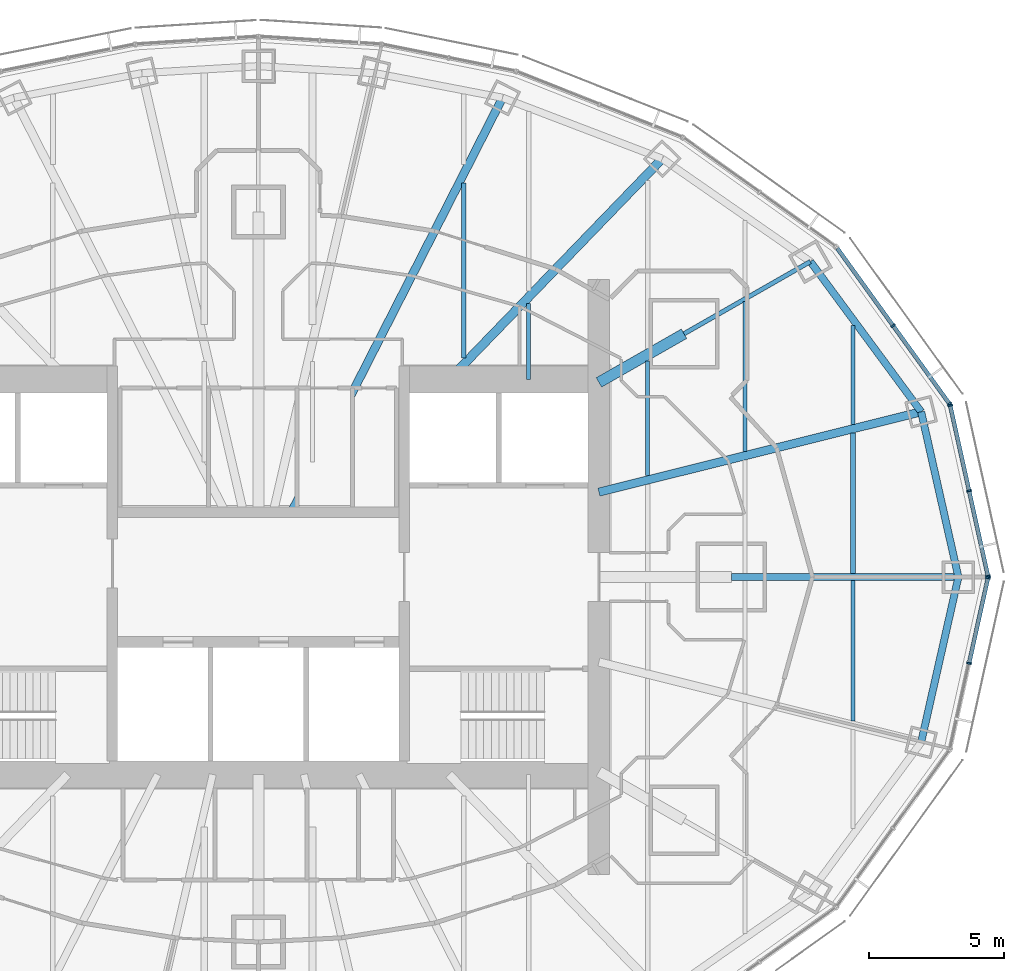
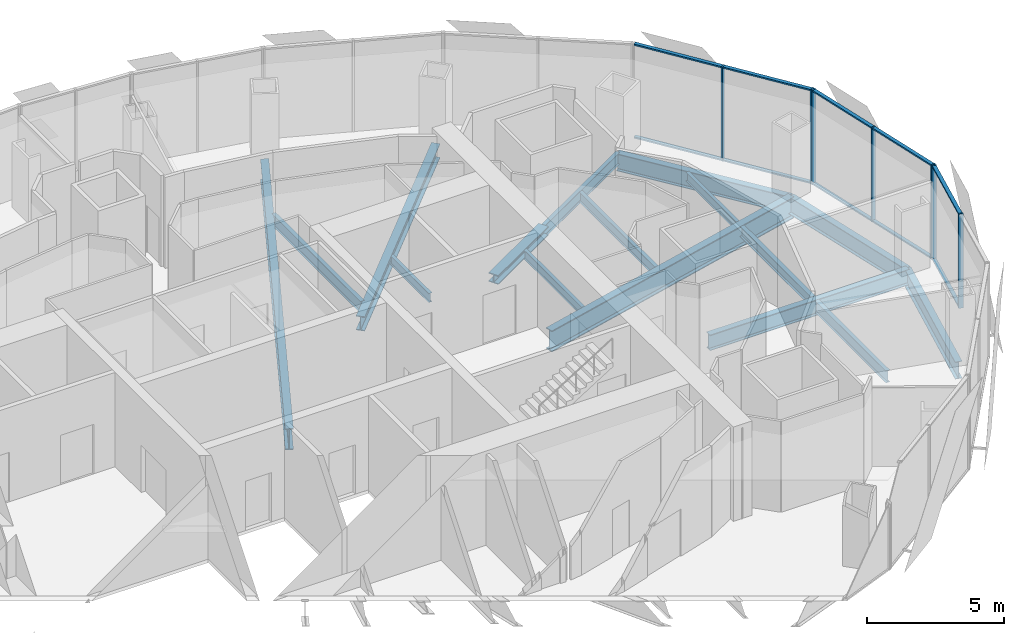
# One storey, part 7 of 18: 17 members, 16 beams, 3 elements without a shape of their own.
"""IFC4 building model written with IfcOpenShell, lengths in metres."""

from ifc_helpers import new_model, si_unit, direction, frame, origin, origin_2d, place, context, subcontext, project, spatial, rectangle, i_section, extrude, material, material_profile, profile_set, type_object, element, aggregate, save


model = new_model("IFC4")

# Units and contexts
model_context = context("Model", 3, precision=1e-05, world=origin(), true_north=direction((0.0, 1.0)))
body_context = subcontext(model_context, "Body", "Model", "MODEL_VIEW")
ifc_project = project(units=[si_unit("LENGTHUNIT", "METRE"), si_unit("AREAUNIT", "SQUARE_METRE"), si_unit("VOLUMEUNIT", "CUBIC_METRE"), si_unit("PLANEANGLEUNIT", "RADIAN"), si_unit("MASSUNIT", "GRAM", prefix="KILO")], contexts=[model_context])

# Site, building, storey
site_placement = place(None, origin())
site = spatial("IfcSite", under=ifc_project, at=site_placement, CompositionType="ELEMENT")
building_placement = place(site_placement, origin())
building = spatial("IfcBuilding", under=site, at=building_placement, Name="Lantaw Convention Tower", CompositionType="ELEMENT")
storey_placement = place(building_placement, frame((0.0, 0.0, 262.0)))
storey = spatial("IfcBuildingStorey", under=building, at=storey_placement, Name="L61", CompositionType="ELEMENT", Elevation=262.0)

# Beams
ifc_material_1 = material(Name="Steel ASTM A992", Category="steel")
ifc_material_profile_1 = material_profile(ifc_material_1, i_section(OverallWidth=0.2666015625, OverallDepth=0.76953125, WebThickness=0.015625, FlangeThickness=0.025390625, FilletRadius=0.0126953125, at=origin_2d()), Name="W30X132")
ifc_profile_set_1 = profile_set([ifc_material_profile_1], Name="Steel ASTM A992")
beam_type_1 = type_object("IfcBeamType", Name="Beam E W30X132", PredefinedType="SPANDREL", material=ifc_profile_set_1)
beam_1_placement = place(storey_placement, frame((25.89990234375, 0.0, -0.534912109375), z_axis=(-0.219857926596, 0.97553190215, 0.0), x_axis=(-0.97553190215, -0.219857926596, 0.0)))
element("IfcBeam", 1, at=beam_1_placement, inside=storey, type_object=beam_type_1, Name="Edge beam 1", PredefinedType="SPANDREL", context=body_context, shape_type="SweptSolid", body=[
    extrude(i_section(OverallWidth=0.2666015625, OverallDepth=0.76953125, WebThickness=0.015625, FlangeThickness=0.025390625, FilletRadius=0.0126953125, at=origin_2d()), origin(), (0.0, 0.0, 1.0), 6.267333984375),
])
beam_2_placement = place(storey_placement, frame((24.52197265625, 6.114013671875, -0.534912109375), z_axis=(-0.593639188853, 0.804731329984, 0.0), x_axis=(-0.804731329984, -0.593639188853, 0.0)))
element("IfcBeam", 2, at=beam_2_placement, inside=storey, type_object=beam_type_1, Name="Edge beam 2", PredefinedType="SPANDREL", context=body_context, shape_type="SweptSolid", body=[
    extrude(i_section(OverallWidth=0.2666015625, OverallDepth=0.76953125, WebThickness=0.015625, FlangeThickness=0.025390625, FilletRadius=0.0126953125, at=origin_2d()), origin(), (0.0, 0.0, 1.0), 6.904541015625),
])
beam_3_placement = place(storey_placement, frame((24.52197265625, -6.114013671875, -0.534912109375), z_axis=(0.219857926596, 0.97553190215, 0.0), x_axis=(-0.97553190215, 0.219857926596, 0.0)))
element("IfcBeam", 3, at=beam_3_placement, inside=storey, type_object=beam_type_1, Name="Edge beam 24", PredefinedType="SPANDREL", context=body_context, shape_type="SweptSolid", body=[
    extrude(i_section(OverallWidth=0.2666015625, OverallDepth=0.76953125, WebThickness=0.015625, FlangeThickness=0.025390625, FilletRadius=0.0126953125, at=origin_2d()), origin(), (0.0, 0.0, 1.0), 6.267333984375),
])
ifc_material_profile_2 = material_profile(ifc_material_1, i_section(OverallWidth=0.1650390625, OverallDepth=0.52587890625, WebThickness=0.0087890625, FlangeThickness=0.011474609375, FilletRadius=0.0126953125, at=origin_2d()), Name="W21X44")
ifc_profile_set_2 = profile_set([ifc_material_profile_2], Name="Steel ASTM A992")
beam_type_2 = type_object("IfcBeamType", Name="Beam G W21X44", PredefinedType="BEAM", material=ifc_profile_set_2)
beam_4_placement = place(storey_placement, frame((15.75, 9.0, -0.412841796875), z_axis=(0.868237559289, 0.496148708192, 0.0), x_axis=(-0.496148708192, 0.868237559289, 0.0)))
element("IfcBeam", 4, at=beam_4_placement, inside=storey, type_object=beam_type_2, Name="Floor girder on ray 3", PredefinedType="BEAM", context=body_context, shape_type="SweptSolid", body=[
    extrude(i_section(OverallWidth=0.1650390625, OverallDepth=0.52587890625, WebThickness=0.0087890625, FlangeThickness=0.011474609375, FilletRadius=0.0126953125, at=origin_2d()), origin(), (0.0, 0.0, 1.0), 5.38232421875),
])
ifc_material_profile_3 = material_profile(ifc_material_1, i_section(OverallWidth=0.32763671875, OverallDepth=0.64013671875, WebThickness=0.01904296875, FlangeThickness=0.033935546875, FilletRadius=0.0126953125, at=origin_2d()), Name="W24X176")
ifc_profile_set_3 = profile_set([ifc_material_profile_3], Name="Steel ASTM A992")
beam_type_3 = type_object("IfcBeamType", Name="Beam G W24X176", PredefinedType="BEAM", material=ifc_profile_set_3)
beam_5_placement = place(storey_placement, frame((7.049560546875, 7.300048828125, -0.469970703125), z_axis=(0.694657766726, 0.719340383356, 0.0), x_axis=(-0.719340383356, 0.694657766726, 0.0)))
element("IfcBeam", 5, at=beam_5_placement, inside=storey, type_object=beam_type_3, Name="Floor girder on ray 4", PredefinedType="BEAM", context=body_context, shape_type="SweptSolid", body=[
    extrude(i_section(OverallWidth=0.32763671875, OverallDepth=0.64013671875, WebThickness=0.01904296875, FlangeThickness=0.033935546875, FilletRadius=0.0126953125, at=origin_2d()), origin(), (0.0, 0.0, 1.0), 11.364990234375),
])
ifc_material_profile_4 = material_profile(ifc_material_1, i_section(OverallWidth=0.25390625, OverallDepth=0.700927734375, WebThickness=0.015380859375, FlangeThickness=0.02783203125, FilletRadius=0.01513671875, at=origin_2d()), Name="W27X129")
ifc_profile_set_4 = profile_set([ifc_material_profile_4], Name="Steel ASTM A992")
beam_type_4 = type_object("IfcBeamType", Name="Beam G W27X129", PredefinedType="BEAM", material=ifc_profile_set_4)
beam_6_placement = place(storey_placement, frame((17.5, 0.0, -0.50048828125), z_axis=(1.0, 0.0, 0.0), x_axis=(0.0, 1.0, 0.0)))
element("IfcBeam", 6, at=beam_6_placement, inside=storey, type_object=beam_type_4, Name="Floor girder on ray 1", PredefinedType="BEAM", context=body_context, shape_type="SweptSolid", body=[
    extrude(i_section(OverallWidth=0.25390625, OverallDepth=0.700927734375, WebThickness=0.015380859375, FlangeThickness=0.02783203125, FilletRadius=0.01513671875, at=origin_2d()), origin(), (0.0, 0.0, 1.0), 8.39990234375),
])
ifc_material_profile_5 = material_profile(ifc_material_1, i_section(OverallWidth=0.307373046875, OverallDepth=0.9423828125, WebThickness=0.022216796875, FlangeThickness=0.039794921875, FilletRadius=0.0126953125, at=origin_2d()), Name="W36X232")
ifc_profile_set_5 = profile_set([ifc_material_profile_5], Name="Steel ASTM A992")
beam_type_5 = type_object("IfcBeamType", Name="Beam G W36X232", PredefinedType="BEAM", material=ifc_profile_set_5)
beam_7_placement = place(storey_placement, frame((12.60009765625, 3.1416015625, -0.62109375), z_axis=(0.970296589314, 0.241918434119, 0.0), x_axis=(-0.241918434119, 0.970296589314, 0.0)))
element("IfcBeam", 7, at=beam_7_placement, inside=storey, type_object=beam_type_5, Name="Floor girder on ray 2", PredefinedType="BEAM", context=body_context, shape_type="SweptSolid", body=[
    extrude(i_section(OverallWidth=0.307373046875, OverallDepth=0.9423828125, WebThickness=0.022216796875, FlangeThickness=0.039794921875, FilletRadius=0.0126953125, at=origin_2d()), origin(), (0.0, 0.0, 1.0), 12.286865234375),
])
beam_8_placement = place(storey_placement, frame((1.222900390625, 2.39990234375, -0.62109375), z_axis=(0.453988481463, 0.891007552549, 0.0), x_axis=(-0.891007552549, 0.453988481463, 0.0)))
element("IfcBeam", 8, at=beam_8_placement, inside=storey, type_object=beam_type_5, Name="Floor girder on ray 5", PredefinedType="BEAM", context=body_context, shape_type="SweptSolid", body=[
    extrude(i_section(OverallWidth=0.307373046875, OverallDepth=0.9423828125, WebThickness=0.022216796875, FlangeThickness=0.039794921875, FilletRadius=0.0126953125, at=origin_2d()), origin(), (0.0, 0.0, 1.0), 17.20703125),
])
ifc_material_profile_6 = material_profile(ifc_material_1, i_section(OverallWidth=0.40380859375, OverallDepth=0.406494140625, WebThickness=0.027099609375, FlangeThickness=0.043701171875, FilletRadius=0.01513671875, at=origin_2d()), Name="W14X233")
ifc_profile_set_6 = profile_set([ifc_material_profile_6], Name="Steel ASTM A992")
beam_type_6 = type_object("IfcBeamType", Name="Beam GM W14X233", PredefinedType="BEAM", material=ifc_profile_set_6)
beam_9_placement = place(storey_placement, frame((12.60009765625, 7.199951171875, -0.353271484375), z_axis=(0.868230718294, 0.496160679428, 0.0), x_axis=(-0.496160679428, 0.868230718294, 0.0)))
element("IfcBeam", 9, at=beam_9_placement, inside=storey, type_object=beam_type_6, Name="Core link beam on ray 3", PredefinedType="BEAM", context=body_context, shape_type="SweptSolid", body=[
    extrude(i_section(OverallWidth=0.40380859375, OverallDepth=0.406494140625, WebThickness=0.027099609375, FlangeThickness=0.043701171875, FilletRadius=0.01513671875, at=origin_2d()), origin(), (0.0, 0.0, 1.0), 3.6279296875),
])
ifc_material_profile_7 = material_profile(ifc_material_1, i_section(OverallWidth=0.140380859375, OverallDepth=0.40380859375, WebThickness=0.007080078125, FlangeThickness=0.01123046875, FilletRadius=0.01025390625, at=origin_2d()), Name="W16X31")
ifc_profile_set_7 = profile_set([ifc_material_profile_7], Name="Steel ASTM A992")
beam_type_7 = type_object("IfcBeamType", Name="Beam J W16X31", PredefinedType="JOIST", material=ifc_profile_set_7)
beam_10_placement = place(storey_placement, frame((10.0, 7.300048828125, -0.35205078125), z_axis=(0.0, 1.0, 0.0), x_axis=(-1.0, 0.0, 0.0)))
element("IfcBeam", 10, at=beam_10_placement, inside=storey, type_object=beam_type_7, Name="Floor joist", PredefinedType="JOIST", context=body_context, shape_type="SweptSolid", body=[
    extrude(i_section(OverallWidth=0.140380859375, OverallDepth=0.40380859375, WebThickness=0.007080078125, FlangeThickness=0.01123046875, FilletRadius=0.01025390625, at=origin_2d()), origin(), (0.0, 0.0, 1.0), 2.8193359375),
])
beam_11_placement = place(storey_placement, frame((14.39990234375, 3.748779296875, -0.35205078125), z_axis=(0.0, 1.0, 0.0), x_axis=(-1.0, 0.0, 0.0)))
element("IfcBeam", 11, at=beam_11_placement, inside=storey, type_object=beam_type_7, Name="Floor joist", PredefinedType="JOIST", context=body_context, shape_type="SweptSolid", body=[
    extrude(i_section(OverallWidth=0.140380859375, OverallDepth=0.40380859375, WebThickness=0.007080078125, FlangeThickness=0.01123046875, FilletRadius=0.01025390625, at=origin_2d()), origin(), (0.0, 0.0, 1.0), 4.247314453125),
])
beam_12_placement = place(storey_placement, frame((22.0, 5.6435546875, -0.35205078125), z_axis=(0.0, 1.0, 0.0), x_axis=(-1.0, 0.0, 0.0)))
element("IfcBeam", 12, at=beam_12_placement, inside=storey, type_object=beam_type_7, Name="Floor joist", PredefinedType="JOIST", context=body_context, shape_type="SweptSolid", body=[
    extrude(i_section(OverallWidth=0.140380859375, OverallDepth=0.40380859375, WebThickness=0.007080078125, FlangeThickness=0.01123046875, FilletRadius=0.01025390625, at=origin_2d()), origin(), (0.0, 0.0, 1.0), 3.66455078125),
])
ifc_material_profile_8 = material_profile(ifc_material_1, i_section(OverallWidth=0.15234375, OverallDepth=0.449462890625, WebThickness=0.007568359375, FlangeThickness=0.0107421875, FilletRadius=0.01025390625, at=origin_2d()), Name="W18X35")
ifc_profile_set_8 = profile_set([ifc_material_profile_8], Name="Steel ASTM A992")
beam_type_8 = type_object("IfcBeamType", Name="Beam J W18X35", PredefinedType="JOIST", material=ifc_profile_set_8)
beam_13_placement = place(storey_placement, frame((18.0, 4.646240234375, -0.374755859375), z_axis=(0.0, 1.0, 0.0), x_axis=(-1.0, 0.0, 0.0)))
element("IfcBeam", 13, at=beam_13_placement, inside=storey, type_object=beam_type_8, Name="Floor joist", PredefinedType="JOIST", context=body_context, shape_type="SweptSolid", body=[
    extrude(i_section(OverallWidth=0.15234375, OverallDepth=0.449462890625, WebThickness=0.007568359375, FlangeThickness=0.0107421875, FilletRadius=0.01025390625, at=origin_2d()), origin(), (0.0, 0.0, 1.0), 5.54443359375),
])
ifc_material_profile_9 = material_profile(ifc_material_1, i_section(OverallWidth=0.1904296875, OverallDepth=0.457275390625, WebThickness=0.009033203125, FlangeThickness=0.014404296875, FilletRadius=0.01025390625, at=origin_2d()), Name="W18X50")
ifc_profile_set_9 = profile_set([ifc_material_profile_9], Name="Steel ASTM A992")
beam_type_9 = type_object("IfcBeamType", Name="Beam J W18X50", PredefinedType="JOIST", material=ifc_profile_set_9)
beam_14_placement = place(storey_placement, frame((22.0, 0.126953125, -0.378662109375), z_axis=(0.0, 1.0, 0.0), x_axis=(-1.0, 0.0, 0.0)))
element("IfcBeam", 14, at=beam_14_placement, inside=storey, type_object=beam_type_9, Name="Floor joist", PredefinedType="JOIST", context=body_context, shape_type="SweptSolid", body=[
    extrude(i_section(OverallWidth=0.1904296875, OverallDepth=0.457275390625, WebThickness=0.009033203125, FlangeThickness=0.014404296875, FilletRadius=0.01025390625, at=origin_2d()), origin(), (0.0, 0.0, 1.0), 5.199951171875),
])
ifc_material_profile_10 = material_profile(ifc_material_1, i_section(OverallWidth=0.1650390625, OverallDepth=0.52587890625, WebThickness=0.0087890625, FlangeThickness=0.011474609375, FilletRadius=0.0126953125, at=origin_2d()), Name="W21X44")
ifc_profile_set_10 = profile_set([ifc_material_profile_10], Name="Steel ASTM A992")
beam_type_10 = type_object("IfcBeamType", Name="Beam J W21X44", PredefinedType="JOIST", material=ifc_profile_set_10)
beam_15_placement = place(storey_placement, frame((7.60009765625, 8.10595703125, -0.412841796875), z_axis=(0.0, 1.0, 0.0), x_axis=(-1.0, 0.0, 0.0)))
element("IfcBeam", 15, at=beam_15_placement, inside=storey, type_object=beam_type_10, Name="Floor joist", PredefinedType="JOIST", context=body_context, shape_type="SweptSolid", body=[
    extrude(i_section(OverallWidth=0.1650390625, OverallDepth=0.52587890625, WebThickness=0.0087890625, FlangeThickness=0.011474609375, FilletRadius=0.0126953125, at=origin_2d()), origin(), (0.0, 0.0, 1.0), 6.471435546875),
])
beam_16_placement = place(storey_placement, frame((22.0, -5.326904296875, -0.412841796875), z_axis=(0.0, 1.0, 0.0), x_axis=(-1.0, 0.0, 0.0)))
element("IfcBeam", 16, at=beam_16_placement, inside=storey, type_object=beam_type_10, Name="Floor joist", PredefinedType="JOIST", context=body_context, shape_type="SweptSolid", body=[
    extrude(i_section(OverallWidth=0.1650390625, OverallDepth=0.52587890625, WebThickness=0.0087890625, FlangeThickness=0.011474609375, FilletRadius=0.0126953125, at=origin_2d()), origin(), (0.0, 0.0, 1.0), 5.199951171875),
])

# Curtain wall, members
ifc_material_2 = material(Name="Aluminium framed curtain wall", Category="aluminium")
curtain_wall_type = type_object("IfcCurtainWallType", Name="Office curtain wall high rise, pale aluminium", PredefinedType="USERDEFINED", material=ifc_material_2)
curtain_wall_1_placement = place(storey_placement, origin())
curtain_wall_1 = element("IfcCurtainWall", 17, at=curtain_wall_1_placement, inside=storey, type_object=curtain_wall_type, Name="Office curtain wall high rise, pale aluminium L61", ObjectType="UNITISED CURTAIN WALL", PredefinedType="USERDEFINED")
ifc_material_3 = material(Name="Aluminium 6063-T6", Category="aluminium")
ifc_material_profile_11 = material_profile(ifc_material_3, rectangle(XDim=0.179931640625, YDim=0.06494140625, at=origin_2d()), Name="CW-O2 mullion 65x180")
ifc_profile_set_11 = profile_set([ifc_material_profile_11], Name="Aluminium 6063-T6")
member_type_1 = type_object("IfcMemberType", Name="CW-O2 mullion 65x180", PredefinedType="MULLION", material=ifc_profile_set_11)
member_1_placement = place(storey_placement, frame((26.992919921875, 0.03173828125, -0.14990234375), z_axis=(0.0, 0.0, 1.0), x_axis=(-0.976417396437, -0.215891333626, 0.0)))
member_1 = element("IfcMember", 18, at=member_1_placement, type_object=member_type_1, Name="CW-O2 mullion 1", PredefinedType="MULLION", context=body_context, shape_type="SweptSolid", body=[
    extrude(rectangle(XDim=0.179931640625, YDim=0.06494140625, at=origin_2d()), origin(), (0.0, 0.0, 1.0), 4.199951171875),
])
member_2_placement = place(storey_placement, frame((26.294677734375, 3.190185546875, -0.14990234375), z_axis=(0.0, 0.0, 1.0), x_axis=(-0.976417396437, -0.215891333626, 0.0)))
member_2 = element("IfcMember", 19, at=member_2_placement, type_object=member_type_1, Name="CW-O2 mullion 2", PredefinedType="MULLION", context=body_context, shape_type="SweptSolid", body=[
    extrude(rectangle(XDim=0.179931640625, YDim=0.06494140625, at=origin_2d()), origin(), (0.0, 0.0, 1.0), 4.199951171875),
])
member_3_placement = place(storey_placement, frame((25.596435546875, 6.348388671875, -0.14990234375), z_axis=(0.0, 0.0, 1.0), x_axis=(-0.976417396437, -0.215891333626, 0.0)))
member_3 = element("IfcMember", 20, at=member_3_placement, type_object=member_type_1, Name="CW-O2 mullion 3", PredefinedType="MULLION", context=body_context, shape_type="SweptSolid", body=[
    extrude(rectangle(XDim=0.179931640625, YDim=0.06494140625, at=origin_2d()), origin(), (0.0, 0.0, 1.0), 4.199951171875),
])

curtain_wall_2_placement = place(storey_placement, origin())
curtain_wall_2 = element("IfcCurtainWall", 21, at=curtain_wall_2_placement, inside=storey, type_object=curtain_wall_type, Name="Office curtain wall high rise, pale aluminium L61", ObjectType="UNITISED CURTAIN WALL", PredefinedType="USERDEFINED")
member_4_placement = place(storey_placement, frame((25.5703125, 6.406494140625, -0.14990234375), z_axis=(0.0, 0.0, 1.0), x_axis=(-0.810919559405, -0.585157643865, 0.0)))
member_4 = element("IfcMember", 22, at=member_4_placement, type_object=member_type_1, Name="CW-O2 mullion 1", PredefinedType="MULLION", context=body_context, shape_type="SweptSolid", body=[
    extrude(rectangle(XDim=0.179931640625, YDim=0.06494140625, at=origin_2d()), origin(), (0.0, 0.0, 1.0), 4.199951171875),
])
member_5_placement = place(storey_placement, frame((23.483642578125, 9.298095703125, -0.14990234375), z_axis=(0.0, 0.0, 1.0), x_axis=(-0.810919559405, -0.585157643865, 0.0)))
member_5 = element("IfcMember", 23, at=member_5_placement, type_object=member_type_1, Name="CW-O2 mullion 2", PredefinedType="MULLION", context=body_context, shape_type="SweptSolid", body=[
    extrude(rectangle(XDim=0.179931640625, YDim=0.06494140625, at=origin_2d()), origin(), (0.0, 0.0, 1.0), 4.199951171875),
])

curtain_wall_3_placement = place(storey_placement, origin())
curtain_wall_3 = element("IfcCurtainWall", 24, at=curtain_wall_3_placement, inside=storey, type_object=curtain_wall_type, Name="Office curtain wall high rise, pale aluminium L61", ObjectType="UNITISED CURTAIN WALL", PredefinedType="USERDEFINED")
member_6_placement = place(storey_placement, frame((26.294677734375, -3.190185546875, -0.14990234375), z_axis=(0.0, 0.0, 1.0), x_axis=(-0.976417396437, 0.215891333626, 0.0)))
member_6 = element("IfcMember", 25, at=member_6_placement, type_object=member_type_1, Name="CW-O2 mullion 2", PredefinedType="MULLION", context=body_context, shape_type="SweptSolid", body=[
    extrude(rectangle(XDim=0.179931640625, YDim=0.06494140625, at=origin_2d()), origin(), (0.0, 0.0, 1.0), 4.199951171875),
])
member_7_placement = place(storey_placement, frame((26.992919921875, -0.03173828125, -0.14990234375), z_axis=(0.0, 0.0, 1.0), x_axis=(-0.976417396437, 0.215891333626, 0.0)))
member_7 = element("IfcMember", 26, at=member_7_placement, type_object=member_type_1, Name="CW-O2 mullion 3", PredefinedType="MULLION", context=body_context, shape_type="SweptSolid", body=[
    extrude(rectangle(XDim=0.179931640625, YDim=0.06494140625, at=origin_2d()), origin(), (0.0, 0.0, 1.0), 4.199951171875),
])

# Member
ifc_material_profile_12 = material_profile(ifc_material_3, rectangle(XDim=0.14990234375, YDim=0.06494140625, at=origin_2d()), Name="CW-O2 transom 65x150")
ifc_profile_set_12 = profile_set([ifc_material_profile_12], Name="Aluminium 6063-T6")
member_type_2 = type_object("IfcMemberType", Name="CW-O2 transom 65x150", PredefinedType="USERDEFINED", material=ifc_profile_set_12)
member_8_placement = place(storey_placement, frame((26.986083984375, 0.0634765625, -0.117431640625), z_axis=(-0.215894607042, 0.976416672661, 0.0), x_axis=(-0.976416672661, -0.215894607042, 0.0)))
member_8 = element("IfcMember", 27, at=member_8_placement, type_object=member_type_2, Name="CW-O2 transom 1.1", ObjectType="TRANSOM", PredefinedType="USERDEFINED", context=body_context, shape_type="SweptSolid", body=[
    extrude(rectangle(XDim=0.14990234375, YDim=0.06494140625, at=origin_2d()), origin(), (0.0, 0.0, 1.0), 3.169677734375),
])

member_9_placement = place(storey_placement, frame((26.986083984375, 0.0634765625, 4.017578125), z_axis=(-0.215894607042, 0.976416672661, 0.0), x_axis=(-0.976416672661, -0.215894607042, 0.0)))
member_9 = element("IfcMember", 28, at=member_9_placement, type_object=member_type_2, Name="CW-O2 transom 1.2", ObjectType="TRANSOM", PredefinedType="USERDEFINED", context=body_context, shape_type="SweptSolid", body=[
    extrude(rectangle(XDim=0.14990234375, YDim=0.06494140625, at=origin_2d()), origin(), (0.0, 0.0, 1.0), 3.169677734375),
])

member_10_placement = place(storey_placement, frame((26.28759765625, 3.2216796875, -0.117431640625), z_axis=(-0.215894607042, 0.976416672661, 0.0), x_axis=(-0.976416672661, -0.215894607042, 0.0)))
member_10 = element("IfcMember", 29, at=member_10_placement, type_object=member_type_2, Name="CW-O2 transom 2.1", ObjectType="TRANSOM", PredefinedType="USERDEFINED", context=body_context, shape_type="SweptSolid", body=[
    extrude(rectangle(XDim=0.14990234375, YDim=0.06494140625, at=origin_2d()), origin(), (0.0, 0.0, 1.0), 3.169677734375),
])

member_11_placement = place(storey_placement, frame((26.28759765625, 3.2216796875, 4.017578125), z_axis=(-0.215894607042, 0.976416672661, 0.0), x_axis=(-0.976416672661, -0.215894607042, 0.0)))
member_11 = element("IfcMember", 30, at=member_11_placement, type_object=member_type_2, Name="CW-O2 transom 2.2", ObjectType="TRANSOM", PredefinedType="USERDEFINED", context=body_context, shape_type="SweptSolid", body=[
    extrude(rectangle(XDim=0.14990234375, YDim=0.06494140625, at=origin_2d()), origin(), (0.0, 0.0, 1.0), 3.169677734375),
])

aggregate(curtain_wall_1, [member_1, member_2, member_3, member_8, member_9, member_10, member_11])

member_12_placement = place(storey_placement, frame((25.55126953125, 6.432861328125, -0.117431640625), z_axis=(-0.585169685931, 0.810910869743, 0.0), x_axis=(-0.810910869743, -0.585169685931, 0.0)))
member_12 = element("IfcMember", 31, at=member_12_placement, type_object=member_type_2, Name="CW-O2 transom 1.1", ObjectType="TRANSOM", PredefinedType="USERDEFINED", context=body_context, shape_type="SweptSolid", body=[
    extrude(rectangle(XDim=0.14990234375, YDim=0.06494140625, at=origin_2d()), origin(), (0.0, 0.0, 1.0), 3.500732421875),
])

member_13_placement = place(storey_placement, frame((25.55126953125, 6.432861328125, 4.017578125), z_axis=(-0.585169685931, 0.810910869743, 0.0), x_axis=(-0.810910869743, -0.585169685931, 0.0)))
member_13 = element("IfcMember", 32, at=member_13_placement, type_object=member_type_2, Name="CW-O2 transom 1.2", ObjectType="TRANSOM", PredefinedType="USERDEFINED", context=body_context, shape_type="SweptSolid", body=[
    extrude(rectangle(XDim=0.14990234375, YDim=0.06494140625, at=origin_2d()), origin(), (0.0, 0.0, 1.0), 3.500732421875),
])

member_14_placement = place(storey_placement, frame((23.464599609375, 9.324462890625, -0.117431640625), z_axis=(-0.585123825205, 0.810943961798, 0.0), x_axis=(-0.810943961798, -0.585123825205, 0.0)))
member_14 = element("IfcMember", 33, at=member_14_placement, type_object=member_type_2, Name="CW-O2 transom 2.1", ObjectType="TRANSOM", PredefinedType="USERDEFINED", context=body_context, shape_type="SweptSolid", body=[
    extrude(rectangle(XDim=0.14990234375, YDim=0.06494140625, at=origin_2d()), origin(), (0.0, 0.0, 1.0), 3.500732421875),
])

member_15_placement = place(storey_placement, frame((23.464599609375, 9.324462890625, 4.017578125), z_axis=(-0.585123825205, 0.810943961798, 0.0), x_axis=(-0.810943961798, -0.585123825205, 0.0)))
member_15 = element("IfcMember", 34, at=member_15_placement, type_object=member_type_2, Name="CW-O2 transom 2.2", ObjectType="TRANSOM", PredefinedType="USERDEFINED", context=body_context, shape_type="SweptSolid", body=[
    extrude(rectangle(XDim=0.14990234375, YDim=0.06494140625, at=origin_2d()), origin(), (0.0, 0.0, 1.0), 3.500732421875),
])

aggregate(curtain_wall_2, [member_4, member_5, member_12, member_13, member_14, member_15])

member_16_placement = place(storey_placement, frame((26.3017578125, -3.158447265625, -0.117431640625), z_axis=(0.215894607042, 0.976416672661, 0.0), x_axis=(-0.976416672661, 0.215894607042, 0.0)))
member_16 = element("IfcMember", 35, at=member_16_placement, type_object=member_type_2, Name="CW-O2 transom 2.1", ObjectType="TRANSOM", PredefinedType="USERDEFINED", context=body_context, shape_type="SweptSolid", body=[
    extrude(rectangle(XDim=0.14990234375, YDim=0.06494140625, at=origin_2d()), origin(), (0.0, 0.0, 1.0), 3.169677734375),
])

member_17_placement = place(storey_placement, frame((26.3017578125, -3.158447265625, 4.017578125), z_axis=(0.215894607042, 0.976416672661, 0.0), x_axis=(-0.976416672661, 0.215894607042, 0.0)))
member_17 = element("IfcMember", 36, at=member_17_placement, type_object=member_type_2, Name="CW-O2 transom 2.2", ObjectType="TRANSOM", PredefinedType="USERDEFINED", context=body_context, shape_type="SweptSolid", body=[
    extrude(rectangle(XDim=0.14990234375, YDim=0.06494140625, at=origin_2d()), origin(), (0.0, 0.0, 1.0), 3.169677734375),
])

aggregate(curtain_wall_3, [member_6, member_7, member_16, member_17])

save(model, "model.ifc")
